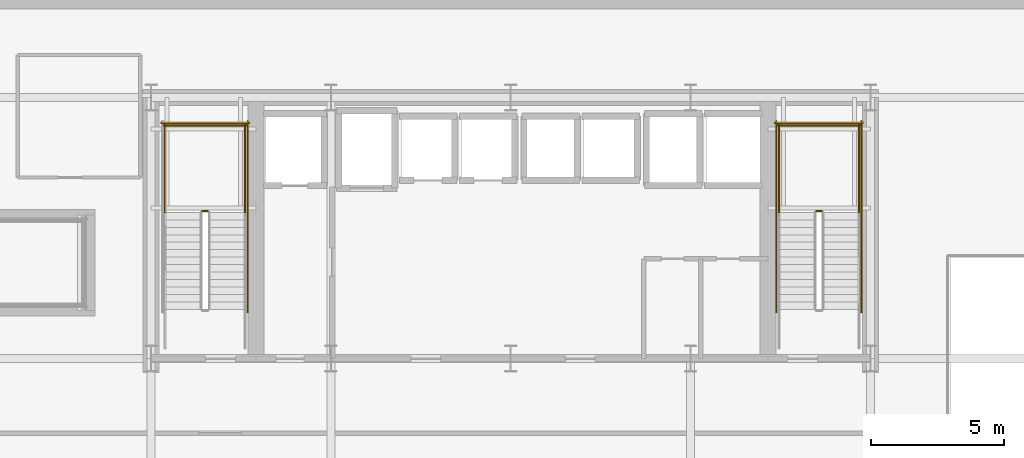
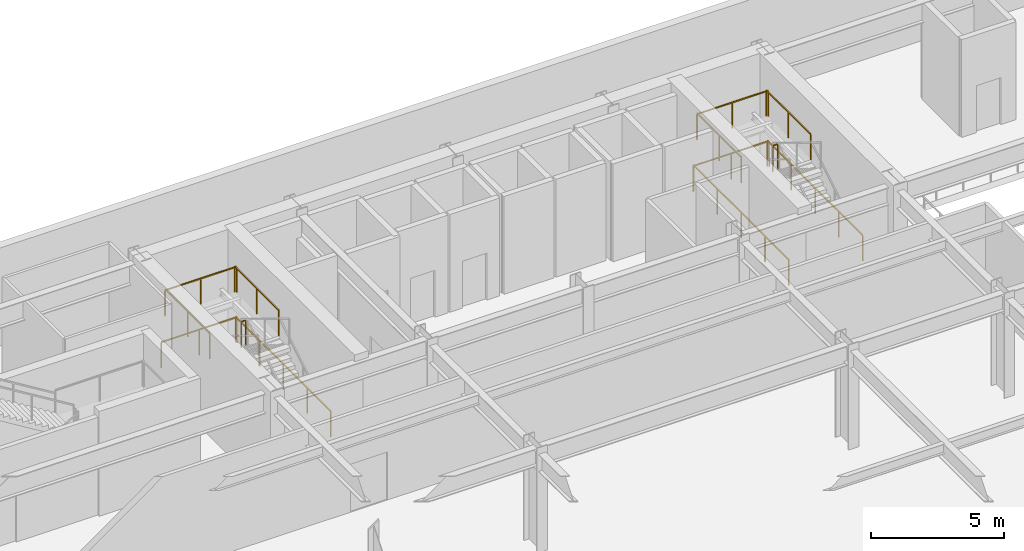
# One storey, part 22 of 28: 13 railings.
"""IFC4 building model written with IfcOpenShell, lengths in metres."""

import ifcopenshell
import ifcopenshell.guid

model = None  # the IFC model being written
_history = None  # IfcOwnerHistory: only IFC2X3 demands one
_inside = {}  # id of a spatial element -> (the spatial element, [elements in it])
_under = {}  # id of a project, library or spatial element -> (it, [spatial elements below it])
_declared = {}  # id of a project -> (the project, [libraries it declares])
_typed = {}  # id of a type object -> (the type object, [elements of that type])
_made_of = {}  # id of a material, layer set ... -> (it, [elements and type objects made of it])


def new_model(schema):
    """Start an empty IFC model of exactly this schema.

    Asked for "IFC4X3", IfcOpenShell would pick the latest addendum, in which some entities
    have other attributes; the version numbers below select the first issue.
    IFC2X3 requires an IfcOwnerHistory on every rooted entity: one is made here for all.
    """
    global model, _history
    if schema == "IFC4X3":
        model = ifcopenshell.file(schema_version=(4, 3, 0, 0))
    else:
        model = ifcopenshell.file(schema=schema)
    _inside.clear()
    _under.clear()
    _declared.clear()
    _typed.clear()
    _made_of.clear()
    _history = None
    if model.schema == "IFC2X3":
        org = make("IfcOrganization", Name="unknown")
        user = make(
            "IfcPersonAndOrganization",
            ThePerson=make("IfcPerson", FamilyName="unknown"),
            TheOrganization=org,
        )
        app = make(
            "IfcApplication",
            ApplicationDeveloper=org,
            Version="unknown",
            ApplicationFullName="unknown",
            ApplicationIdentifier="unknown",
        )
        _history = make(
            "IfcOwnerHistory",
            OwningUser=user,
            OwningApplication=app,
            ChangeAction="ADDED",
            CreationDate=0,
        )
    return model


def make(cls, **values):
    """One entity of the class cls with the attributes given. An attribute that is None is left unset."""
    return model.create_entity(
        cls, **{name: value for name, value in values.items() if value is not None}
    )


def rooted(cls, **values):
    """An entity with a GlobalId (a new one), such as an element, a storey or a relation."""
    return make(cls, GlobalId=ifcopenshell.guid.new(), OwnerHistory=_history, **values)


def si_unit(unit_type, name, prefix=None):
    """IfcSIUnit, for example si_unit("LENGTHUNIT", "METRE", prefix="MILLI")."""
    return make("IfcSIUnit", UnitType=unit_type, Prefix=prefix, Name=name)


def assignment(units):
    """IfcUnitAssignment: the units of a project."""
    return None if units is None else make("IfcUnitAssignment", Units=units)


def point(xyz):
    """IfcCartesianPoint."""
    return None if xyz is None else make("IfcCartesianPoint", Coordinates=xyz)


def direction(xyz):
    """IfcDirection."""
    return None if xyz is None else make("IfcDirection", DirectionRatios=xyz)


def frame(location, z_axis=None, x_axis=None):
    """IfcAxis2Placement3D, a coordinate frame: its origin and axes. An axis left out is left unset."""
    return make(
        "IfcAxis2Placement3D",
        Location=point(location),
        Axis=direction(z_axis),
        RefDirection=direction(x_axis),
    )


def frame_2d(location, x_axis=None):
    """IfcAxis2Placement2D, a coordinate frame in the plane: its origin and x axis."""
    return make(
        "IfcAxis2Placement2D", Location=point(location), RefDirection=direction(x_axis)
    )


def origin():
    """The frame at (0, 0, 0) with its axes left unset."""
    return frame((0.0, 0.0, 0.0))


def origin_2d():
    """The frame at (0, 0) in the plane with its x axis left unset."""
    return frame_2d((0.0, 0.0))


def place(relative_to, where):
    """IfcLocalPlacement: puts the frame where relative to a parent placement (None: the world)."""
    return make(
        "IfcLocalPlacement", PlacementRelTo=relative_to, RelativePlacement=where
    )


def context(
    kind, dimensions, precision=None, world=None, true_north=None, identifier=None
):
    """IfcGeometricRepresentationContext, for example the 3D "Model" context."""
    return make(
        "IfcGeometricRepresentationContext",
        ContextIdentifier=identifier,
        ContextType=kind,
        CoordinateSpaceDimension=dimensions,
        Precision=precision,
        WorldCoordinateSystem=world,
        TrueNorth=true_north,
    )


def subcontext(parent, identifier, kind, view, scale=None):
    """IfcGeometricRepresentationSubContext, for example "Body" below "Model"."""
    return make(
        "IfcGeometricRepresentationSubContext",
        ContextIdentifier=identifier,
        ContextType=kind,
        ParentContext=parent,
        TargetScale=scale,
        TargetView=view,
    )


def project(units=None, contexts=None):
    """IfcProject with its units and contexts."""
    return rooted(
        "IfcProject",
        Name="project",
        RepresentationContexts=contexts,
        UnitsInContext=assignment(units),
    )


def spatial(cls, under=None, at=None, **own):
    """A site, building, storey or space (cls), placed at a placement, below another one or the project."""
    s = rooted(cls, ObjectPlacement=at, **own)
    if under is not None:
        _under.setdefault(under.id(), (under, []))[1].append(s)
    return s


def profile(cls, at=None, kind="AREA", **sizes):
    """A parametric profile (cls). Its sizes go by their IFC names, for example OverallWidth=200.0."""
    return make(cls, ProfileType=kind, Position=at, **sizes)


def rectangle(**sizes):
    """IfcRectangleProfileDef."""
    return profile("IfcRectangleProfileDef", **sizes)


def extrude(swept, where, along, depth):
    """IfcExtrudedAreaSolid: the profile swept, set in the frame where, extruded along a direction by depth."""
    return make(
        "IfcExtrudedAreaSolid",
        SweptArea=swept,
        Position=where,
        ExtrudedDirection=direction(along),
        Depth=depth,
    )


def shape(context_of_items, identifier, shape_type, items):
    """IfcShapeRepresentation: the items that make up one representation, for example the "Body"."""
    return make(
        "IfcShapeRepresentation",
        ContextOfItems=context_of_items,
        RepresentationIdentifier=identifier,
        RepresentationType=shape_type,
        Items=items,
    )


def material(Name=None, Category=None):
    """IfcMaterial."""
    return make("IfcMaterial", Name=Name, Category=Category)


def made_of(thing, what):
    """Note that an element or type object is made of a material, layer set ...; save() writes the relation."""
    if what is not None:
        _made_of.setdefault(what.id(), (what, []))[1].append(thing)
    return thing


def type_object(cls, material=None, **own):
    """A type object (cls), such as IfcWallType, which elements share."""
    return made_of(rooted(cls, **own), material)


def element(
    cls,
    number,
    at=None,
    inside=None,
    cuts=None,
    type_object=None,
    material=None,
    context=None,
    identifier="Body",
    shape_type=None,
    held_by="IfcProductDefinitionShape",
    body=None,
    shapes=None,
    **own,
):
    """One element of the class cls, such as IfcWall. Its Tag is "e" and its number.

    at: its placement. inside: the storey or other place that contains it. cuts: it is an
    opening in that element (IfcRelVoidsElement). A single representation is given by context,
    identifier, shape_type and body (its items); several are given by shapes. held_by: the class
    of the entity that holds the representations. save() writes the other relations.
    """
    e = rooted(cls, Tag="e%d" % number, ObjectPlacement=at, **own)
    if body is not None:
        shapes = [shape(context, identifier, shape_type, body)]
    if shapes is not None:
        e.Representation = make(held_by, Representations=shapes)
    if inside is not None:
        _inside.setdefault(inside.id(), (inside, []))[1].append(e)
    if cuts is not None:
        rooted(
            "IfcRelVoidsElement", RelatingBuildingElement=cuts, RelatedOpeningElement=e
        )
    if type_object is not None:
        _typed.setdefault(type_object.id(), (type_object, []))[1].append(e)
    return made_of(e, material)


def aggregate(whole, parts):
    """IfcRelAggregates: a whole, such as a stair, and the parts it consists of."""
    return rooted("IfcRelAggregates", RelatingObject=whole, RelatedObjects=parts)


def save(model, path):
    """Write the relations noted so far, then the file.

    IfcRelAggregates (storeys below a building ...), IfcRelContainedInSpatialStructure (elements
    in a storey), IfcRelDefinesByType, IfcRelAssociatesMaterial and IfcRelDeclares: one each for
    every whole, place, type object, material and project.
    """
    for whole, parts in _under.values():
        aggregate(whole, parts)
    for where, things in _inside.values():
        rooted(
            "IfcRelContainedInSpatialStructure",
            RelatedElements=things,
            RelatingStructure=where,
        )
    for kind, things in _typed.values():
        rooted("IfcRelDefinesByType", RelatedObjects=things, RelatingType=kind)
    for what, things in _made_of.values():
        rooted("IfcRelAssociatesMaterial", RelatedObjects=things, RelatingMaterial=what)
    for by, libraries in _declared.values():
        rooted("IfcRelDeclares", RelatingContext=by, RelatedDefinitions=libraries)
    model.write(path)


model = new_model("IFC4")

# Units and contexts
model_context = context("Model", 3, precision=1e-05, world=origin(), true_north=direction((0.0, 1.0)))
body_context = subcontext(model_context, "Body", "Model", "MODEL_VIEW")
ifc_project = project(units=[si_unit("LENGTHUNIT", "METRE"), si_unit("AREAUNIT", "SQUARE_METRE"), si_unit("VOLUMEUNIT", "CUBIC_METRE"), si_unit("PLANEANGLEUNIT", "RADIAN"), si_unit("MASSUNIT", "GRAM", prefix="KILO")], contexts=[model_context])

# Site, building, storey
site_placement = place(None, origin())
site = spatial("IfcSite", under=ifc_project, at=site_placement, CompositionType="ELEMENT")
building_placement = place(site_placement, origin())
building = spatial("IfcBuilding", under=site, at=building_placement, Name="Haevon Station Towers", CompositionType="ELEMENT")
storey_placement = place(building_placement, frame((0.0, 0.0, 10.800048828125)))
storey = spatial("IfcBuildingStorey", under=building, at=storey_placement, Name="L02", CompositionType="ELEMENT", Elevation=10.800048828125)

# Railings
ifc_material = material(Name="Steel S355", Category="steel")
railing_type = type_object("IfcRailingType", Name="GRD-STR1200", PredefinedType="GUARDRAIL", material=ifc_material)
railing_1_placement = place(storey_placement, frame((26.1298828125, 43.739990234375, 2.39990234375)))
element("IfcRailing", 1, at=railing_1_placement, inside=storey, type_object=railing_type, Name="L02 ST1 Stair Guard 2", PredefinedType="GUARDRAIL", context=body_context, shape_type="SweptSolid", body=[
    extrude(rectangle(XDim=0.048095703125, YDim=0.048095703125, at=origin_2d()), frame((0.0, 0.0, 1.17578125), z_axis=(-1.0, 0.0, 0.0), x_axis=(0.0, -1.0, 0.0)), (0.0, 0.0, 1.0), 0.199951171875),
    extrude(rectangle(XDim=0.0419921875, YDim=0.0419921875, at=origin_2d()), origin(), (0.0, 0.0, 1.0), 1.15185546875),
    extrude(rectangle(XDim=0.0419921875, YDim=0.0419921875, at=origin_2d()), frame((-0.199951171875, 0.0, 0.0)), (0.0, 0.0, 1.0), 1.15185546875),
])
for number, where, name in (
    (2, (27.530029296875, 43.68994140625, 2.39990234375), "L02 ST1 Stair Guard 3"),
    (3, (24.530029296875, 43.68994140625, 2.39990234375), "L02 ST1 Stair Guard 4"),
):
    element("IfcRailing", number, at=place(storey_placement, frame(where)), inside=storey, type_object=railing_type, Name=name, PredefinedType="GUARDRAIL", context=body_context, shape_type="SweptSolid", body=[
        extrude(rectangle(XDim=0.048095703125, YDim=0.048095703125, at=origin_2d()), frame((0.0, 0.0, 1.17578125), z_axis=(0.0, 1.0, 0.0), x_axis=(-1.0, 0.0, 0.0)), (0.0, 0.0, 1.0), 3.31005859375),
        extrude(rectangle(XDim=0.0419921875, YDim=0.0419921875, at=origin_2d()), origin(), (0.0, 0.0, 1.0), 1.15185546875),
        extrude(rectangle(XDim=0.0419921875, YDim=0.0419921875, at=origin_2d()), frame((0.0, 1.655029296875, 0.0)), (0.0, 0.0, 1.0), 1.15185546875),
        extrude(rectangle(XDim=0.0419921875, YDim=0.0419921875, at=origin_2d()), frame((0.0, 3.31005859375, 0.0)), (0.0, 0.0, 1.0), 1.15185546875),
    ])
railing_2_placement = place(storey_placement, frame((27.580078125, 46.949951171875, 2.39990234375)))
element("IfcRailing", 4, at=railing_2_placement, inside=storey, type_object=railing_type, Name="L02 ST1 Stair Guard 5", PredefinedType="GUARDRAIL", context=body_context, shape_type="SweptSolid", body=[
    extrude(rectangle(XDim=0.048095703125, YDim=0.048095703125, at=origin_2d()), frame((0.0, 0.0, 1.17578125), z_axis=(-1.0, 0.0, 0.0), x_axis=(0.0, -1.0, 0.0)), (0.0, 0.0, 1.0), 3.10009765625),
    extrude(rectangle(XDim=0.0419921875, YDim=0.0419921875, at=origin_2d()), origin(), (0.0, 0.0, 1.0), 1.15185546875),
    extrude(rectangle(XDim=0.0419921875, YDim=0.0419921875, at=origin_2d()), frame((-1.550048828125, 0.0, 0.0)), (0.0, 0.0, 1.0), 1.15185546875),
    extrude(rectangle(XDim=0.0419921875, YDim=0.0419921875, at=origin_2d()), frame((-3.10009765625, 0.0, 0.0)), (0.0, 0.0, 1.0), 1.15185546875),
])
railing_3_placement = place(storey_placement, frame((27.6298828125, 39.949951171875, 0.0)))
element("IfcRailing", 5, at=railing_3_placement, inside=storey, type_object=railing_type, Name="L02 ST1 Stair Guard 10", PredefinedType="GUARDRAIL", context=body_context, shape_type="SweptSolid", body=[
    extrude(rectangle(XDim=0.048095703125, YDim=0.048095703125, at=origin_2d()), frame((0.0, 0.0, 1.17578125), z_axis=(0.0, 1.0, 0.0), x_axis=(-1.0, 0.0, 0.0)), (0.0, 0.0, 1.0), 7.150146484375),
    extrude(rectangle(XDim=0.0419921875, YDim=0.0419921875, at=origin_2d()), origin(), (0.0, 0.0, 1.0), 1.15185546875),
    extrude(rectangle(XDim=0.0419921875, YDim=0.0419921875, at=origin_2d()), frame((0.0, 1.78759765625, 0.0)), (0.0, 0.0, 1.0), 1.15185546875),
    extrude(rectangle(XDim=0.0419921875, YDim=0.0419921875, at=origin_2d()), frame((0.0, 3.5751953125, 0.0)), (0.0, 0.0, 1.0), 1.15185546875),
    extrude(rectangle(XDim=0.0419921875, YDim=0.0419921875, at=origin_2d()), frame((0.0, 5.362548828125, 0.0)), (0.0, 0.0, 1.0), 1.15185546875),
    extrude(rectangle(XDim=0.0419921875, YDim=0.0419921875, at=origin_2d()), frame((0.0, 7.150146484375, 0.0)), (0.0, 0.0, 1.0), 1.15185546875),
])
railing_4_placement = place(storey_placement, frame((27.679931640625, 47.050048828125, 0.0)))
element("IfcRailing", 6, at=railing_4_placement, inside=storey, type_object=railing_type, Name="L02 ST1 Stair Guard 12", PredefinedType="GUARDRAIL", context=body_context, shape_type="SweptSolid", body=[
    extrude(rectangle(XDim=0.048095703125, YDim=0.048095703125, at=origin_2d()), frame((0.0, 0.0, 1.17578125), z_axis=(-1.0, 0.0, 0.0), x_axis=(0.0, -1.0, 0.0)), (0.0, 0.0, 1.0), 3.300048828125),
    extrude(rectangle(XDim=0.0419921875, YDim=0.0419921875, at=origin_2d()), origin(), (0.0, 0.0, 1.0), 1.15185546875),
    extrude(rectangle(XDim=0.0419921875, YDim=0.0419921875, at=origin_2d()), frame((-1.64990234375, 0.0, 0.0)), (0.0, 0.0, 1.0), 1.15185546875),
    extrude(rectangle(XDim=0.0419921875, YDim=0.0419921875, at=origin_2d()), frame((-3.300048828125, 0.0, 0.0)), (0.0, 0.0, 1.0), 1.15185546875),
])
railing_5_placement = place(storey_placement, frame((49.169921875, 43.739990234375, 2.39990234375)))
element("IfcRailing", 7, at=railing_5_placement, inside=storey, type_object=railing_type, Name="L02 ST2 Stair Guard 2", PredefinedType="GUARDRAIL", context=body_context, shape_type="SweptSolid", body=[
    extrude(rectangle(XDim=0.048095703125, YDim=0.048095703125, at=origin_2d()), frame((0.0, 0.0, 1.17578125), z_axis=(-1.0, 0.0, 0.0), x_axis=(0.0, -1.0, 0.0)), (0.0, 0.0, 1.0), 0.199951171875),
    extrude(rectangle(XDim=0.0419921875, YDim=0.0419921875, at=origin_2d()), origin(), (0.0, 0.0, 1.0), 1.15185546875),
    extrude(rectangle(XDim=0.0419921875, YDim=0.0419921875, at=origin_2d()), frame((-0.199951171875, 0.0, 0.0)), (0.0, 0.0, 1.0), 1.15185546875),
])
for number, where, name in (
    (8, (50.570068359375, 43.68994140625, 2.39990234375), "L02 ST2 Stair Guard 3"),
    (9, (47.570068359375, 43.68994140625, 2.39990234375), "L02 ST2 Stair Guard 4"),
):
    element("IfcRailing", number, at=place(storey_placement, frame(where)), inside=storey, type_object=railing_type, Name=name, PredefinedType="GUARDRAIL", context=body_context, shape_type="SweptSolid", body=[
        extrude(rectangle(XDim=0.048095703125, YDim=0.048095703125, at=origin_2d()), frame((0.0, 0.0, 1.17578125), z_axis=(0.0, 1.0, 0.0), x_axis=(-1.0, 0.0, 0.0)), (0.0, 0.0, 1.0), 3.31005859375),
        extrude(rectangle(XDim=0.0419921875, YDim=0.0419921875, at=origin_2d()), origin(), (0.0, 0.0, 1.0), 1.15185546875),
        extrude(rectangle(XDim=0.0419921875, YDim=0.0419921875, at=origin_2d()), frame((0.0, 1.655029296875, 0.0)), (0.0, 0.0, 1.0), 1.15185546875),
        extrude(rectangle(XDim=0.0419921875, YDim=0.0419921875, at=origin_2d()), frame((0.0, 3.31005859375, 0.0)), (0.0, 0.0, 1.0), 1.15185546875),
    ])
railing_6_placement = place(storey_placement, frame((50.6201171875, 46.949951171875, 2.39990234375)))
element("IfcRailing", 10, at=railing_6_placement, inside=storey, type_object=railing_type, Name="L02 ST2 Stair Guard 5", PredefinedType="GUARDRAIL", context=body_context, shape_type="SweptSolid", body=[
    extrude(rectangle(XDim=0.048095703125, YDim=0.048095703125, at=origin_2d()), frame((0.0, 0.0, 1.17578125), z_axis=(-1.0, 0.0, 0.0), x_axis=(0.0, -1.0, 0.0)), (0.0, 0.0, 1.0), 3.10009765625),
    extrude(rectangle(XDim=0.0419921875, YDim=0.0419921875, at=origin_2d()), origin(), (0.0, 0.0, 1.0), 1.15185546875),
    extrude(rectangle(XDim=0.0419921875, YDim=0.0419921875, at=origin_2d()), frame((-1.550048828125, 0.0, 0.0)), (0.0, 0.0, 1.0), 1.15185546875),
    extrude(rectangle(XDim=0.0419921875, YDim=0.0419921875, at=origin_2d()), frame((-3.10009765625, 0.0, 0.0)), (0.0, 0.0, 1.0), 1.15185546875),
])
for number, where, name in (
    (11, (50.669921875, 39.949951171875, 0.0), "L02 ST2 Stair Guard 10"),
    (12, (47.469970703125, 39.949951171875, 0.0), "L02 ST2 Stair Guard 11"),
):
    element("IfcRailing", number, at=place(storey_placement, frame(where)), inside=storey, type_object=railing_type, Name=name, PredefinedType="GUARDRAIL", context=body_context, shape_type="SweptSolid", body=[
        extrude(rectangle(XDim=0.048095703125, YDim=0.048095703125, at=origin_2d()), frame((0.0, 0.0, 1.17578125), z_axis=(0.0, 1.0, 0.0), x_axis=(-1.0, 0.0, 0.0)), (0.0, 0.0, 1.0), 7.150146484375),
        extrude(rectangle(XDim=0.0419921875, YDim=0.0419921875, at=origin_2d()), origin(), (0.0, 0.0, 1.0), 1.15185546875),
        extrude(rectangle(XDim=0.0419921875, YDim=0.0419921875, at=origin_2d()), frame((0.0, 1.78759765625, 0.0)), (0.0, 0.0, 1.0), 1.15185546875),
        extrude(rectangle(XDim=0.0419921875, YDim=0.0419921875, at=origin_2d()), frame((0.0, 3.5751953125, 0.0)), (0.0, 0.0, 1.0), 1.15185546875),
        extrude(rectangle(XDim=0.0419921875, YDim=0.0419921875, at=origin_2d()), frame((0.0, 5.362548828125, 0.0)), (0.0, 0.0, 1.0), 1.15185546875),
        extrude(rectangle(XDim=0.0419921875, YDim=0.0419921875, at=origin_2d()), frame((0.0, 7.150146484375, 0.0)), (0.0, 0.0, 1.0), 1.15185546875),
    ])
railing_7_placement = place(storey_placement, frame((50.719970703125, 47.050048828125, 0.0)))
element("IfcRailing", 13, at=railing_7_placement, inside=storey, type_object=railing_type, Name="L02 ST2 Stair Guard 12", PredefinedType="GUARDRAIL", context=body_context, shape_type="SweptSolid", body=[
    extrude(rectangle(XDim=0.048095703125, YDim=0.048095703125, at=origin_2d()), frame((0.0, 0.0, 1.17578125), z_axis=(-1.0, 0.0, 0.0), x_axis=(0.0, -1.0, 0.0)), (0.0, 0.0, 1.0), 3.300048828125),
    extrude(rectangle(XDim=0.0419921875, YDim=0.0419921875, at=origin_2d()), origin(), (0.0, 0.0, 1.0), 1.15185546875),
    extrude(rectangle(XDim=0.0419921875, YDim=0.0419921875, at=origin_2d()), frame((-1.64990234375, 0.0, 0.0)), (0.0, 0.0, 1.0), 1.15185546875),
    extrude(rectangle(XDim=0.0419921875, YDim=0.0419921875, at=origin_2d()), frame((-3.300048828125, 0.0, 0.0)), (0.0, 0.0, 1.0), 1.15185546875),
])

save(model, "model.ifc")
